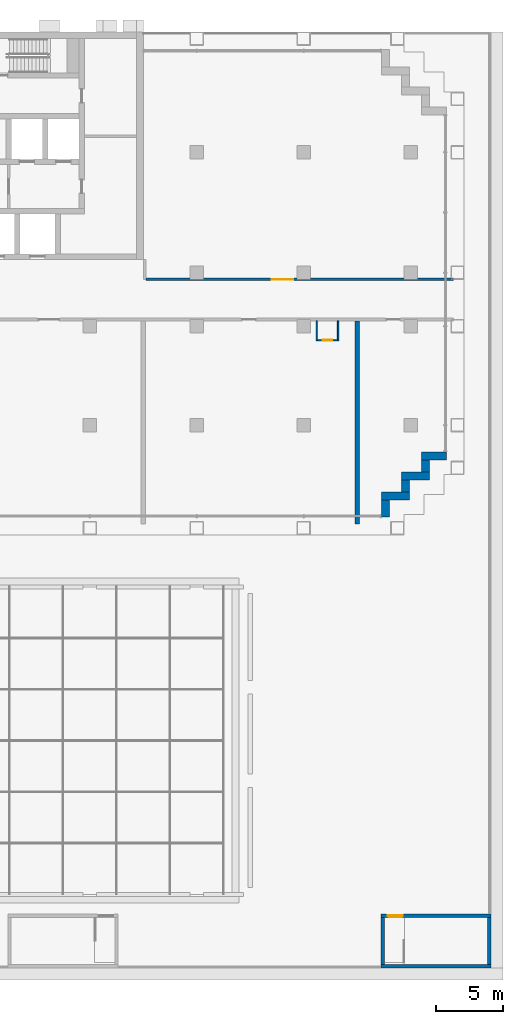
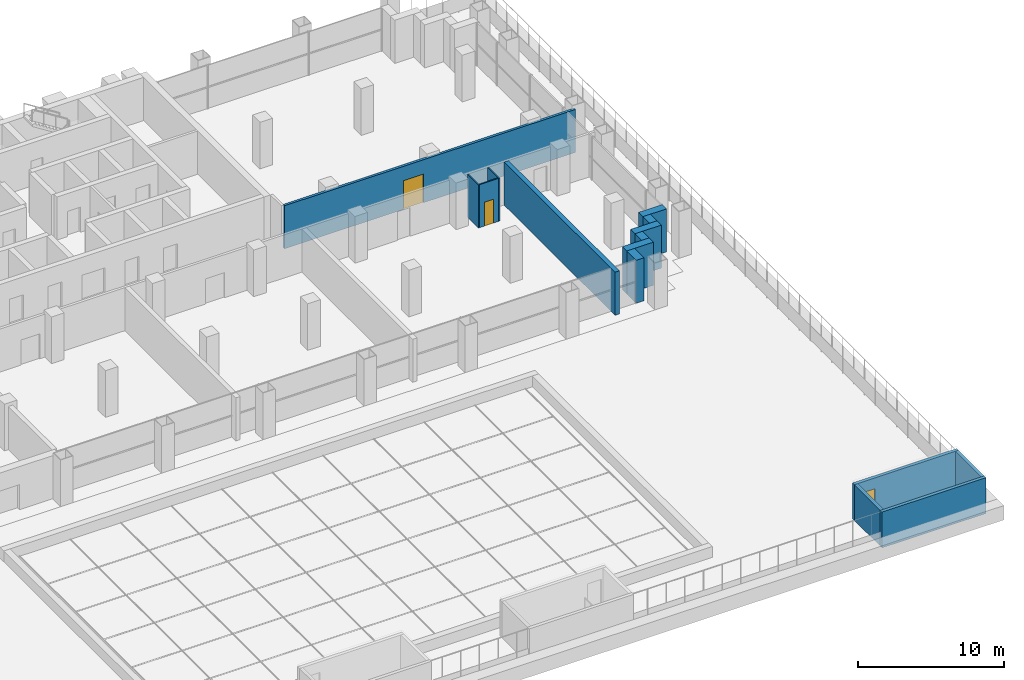
# One storey, part 12 of 16: 15 walls, 3 doors, 3 openings.
"""IFC4 building model written with IfcOpenShell, lengths in metres."""

from ifc_helpers import new_model, si_unit, direction, frame, frame_2d, origin, place, context, subcontext, project, spatial, rectangle, extrude, material, layer, layer_set, type_object, element, fill, save


model = new_model("IFC4")

# Units and contexts
model_context = context("Model", 3, precision=1e-05, world=origin(), true_north=direction((0.0, 1.0)))
body_context = subcontext(model_context, "Body", "Model", "MODEL_VIEW")
ifc_project = project(units=[si_unit("LENGTHUNIT", "METRE"), si_unit("AREAUNIT", "SQUARE_METRE"), si_unit("VOLUMEUNIT", "CUBIC_METRE"), si_unit("PLANEANGLEUNIT", "RADIAN"), si_unit("MASSUNIT", "GRAM", prefix="KILO")], contexts=[model_context])

# Site, building, storey
site_placement = place(None, origin())
site = spatial("IfcSite", under=ifc_project, at=site_placement, CompositionType="ELEMENT")
building_placement = place(site_placement, origin())
building = spatial("IfcBuilding", under=site, at=building_placement, Name="Vidyagriha Tower", CompositionType="ELEMENT")
storey_placement = place(building_placement, frame((0.0, 0.0, 26.0)))
storey = spatial("IfcBuildingStorey", under=building, at=storey_placement, Name="L06", CompositionType="ELEMENT", Elevation=26.0)

# Walls
ifc_material_1 = material(Name="Precast concrete C40/50 with brick facing", Category="concrete")
ifc_layer_1 = layer(ifc_material_1, 0.60009765625)
ifc_layer_set_1 = layer_set([ifc_layer_1], Name="Precast concrete C40/50 with brick facing")
wall_type_1 = type_object("IfcWallType", Name="Brick-faced precast wall 600", PredefinedType="STANDARD", material=ifc_layer_set_1)
wall_1_placement = place(storey_placement, frame((32.10009765625, -16.280029296875, 0.0), z_axis=(0.0, 0.0, 1.0), x_axis=(0.0, 1.0, 0.0)))
element("IfcWall", 1, at=wall_1_placement, inside=storey, type_object=wall_type_1, Name="Stepped corner wall L06 R24", PredefinedType="STANDARD", context=body_context, shape_type="SweptSolid", body=[
    extrude(rectangle(XDim=1.280029296875, YDim=0.60009765625, at=frame_2d((0.64013671875, 0.0))), origin(), (0.0, 0.0, 1.0), 3.60009765625),
])
wall_2_placement = place(storey_placement, frame((31.800048828125, -14.699951171875, 0.0)))
element("IfcWall", 2, at=wall_2_placement, inside=storey, type_object=wall_type_1, Name="Stepped corner wall L06 R25", PredefinedType="STANDARD", context=body_context, shape_type="SweptSolid", body=[
    extrude(rectangle(XDim=2.099853515625, YDim=0.60009765625, at=frame_2d((1.0498046875, 0.0))), origin(), (0.0, 0.0, 1.0), 3.60009765625),
])
wall_3_placement = place(storey_placement, frame((33.60009765625, -14.39990234375, 0.0), z_axis=(0.0, 0.0, 1.0), x_axis=(0.0, 1.0, 0.0)))
element("IfcWall", 3, at=wall_3_placement, inside=storey, type_object=wall_type_1, Name="Stepped corner wall L06 R26", PredefinedType="STANDARD", context=body_context, shape_type="SweptSolid", body=[
    extrude(rectangle(XDim=0.89990234375, YDim=0.60009765625, at=frame_2d((0.449951171875, 0.0))), origin(), (0.0, 0.0, 1.0), 3.60009765625),
])
wall_4_placement = place(storey_placement, frame((33.300048828125, -13.199951171875, 0.0)))
element("IfcWall", 4, at=wall_4_placement, inside=storey, type_object=wall_type_1, Name="Stepped corner wall L06 R27", PredefinedType="STANDARD", context=body_context, shape_type="SweptSolid", body=[
    extrude(rectangle(XDim=2.099853515625, YDim=0.60009765625, at=frame_2d((1.0498046875, 0.0))), origin(), (0.0, 0.0, 1.0), 3.60009765625),
])
wall_5_placement = place(storey_placement, frame((35.10009765625, -12.89990234375, 0.0), z_axis=(0.0, 0.0, 1.0), x_axis=(0.0, 1.0, 0.0)))
element("IfcWall", 5, at=wall_5_placement, inside=storey, type_object=wall_type_1, Name="Stepped corner wall L06 R28", PredefinedType="STANDARD", context=body_context, shape_type="SweptSolid", body=[
    extrude(rectangle(XDim=0.89990234375, YDim=0.60009765625, at=frame_2d((0.449951171875, 0.0))), origin(), (0.0, 0.0, 1.0), 3.60009765625),
])
wall_6_placement = place(storey_placement, frame((34.800048828125, -11.699951171875, 0.0)))
element("IfcWall", 6, at=wall_6_placement, inside=storey, type_object=wall_type_1, Name="Stepped corner wall L06 R29", PredefinedType="STANDARD", context=body_context, shape_type="SweptSolid", body=[
    extrude(rectangle(XDim=1.8798828125, YDim=0.60009765625, at=frame_2d((0.93994140625, 0.0))), origin(), (0.0, 0.0, 1.0), 3.60009765625),
])

# Wall, opening, door
ifc_material_2 = material(Name="Blockwork 15 MPa", Category="masonry")
ifc_layer_2 = layer(ifc_material_2, 0.199951171875)
ifc_layer_set_2 = layer_set([ifc_layer_2], Name="Blockwork 15 MPa")
wall_type_2 = type_object("IfcWallType", Name="Service room partition 200 mm", PredefinedType="PARTITIONING", material=ifc_layer_set_2)
wall_7_placement = place(storey_placement, frame((14.199951171875, 1.5, 0.0)))
wall_7 = element("IfcWall", 7, at=wall_7_placement, inside=storey, type_object=wall_type_2, Name="Plant corridor north wall east", PredefinedType="PARTITIONING", context=body_context, shape_type="SweptSolid", body=[
    extrude(rectangle(XDim=23.0, YDim=0.199951171875, at=frame_2d((11.5, 0.0))), origin(), (0.0, 0.0, 1.0), 3.60009765625),
])
opening_1_placement = place(wall_7_placement, frame((9.39990234375, 0.0, 0.0)))
opening_1 = element("IfcOpeningElement", 8, at=opening_1_placement, cuts=wall_7, Name="Opening D06-22", PredefinedType="OPENING", context=body_context, shape_type="SweptSolid", body=[
    extrude(rectangle(XDim=1.60009765625, YDim=2.39990234375, at=frame_2d((0.800048828125, 1.199951171875))), frame((0.0, 0.10986328125, 0.0), z_axis=(0.0, -1.0, 0.0), x_axis=(1.0, 0.0, 0.0)), (0.0, 0.0, 1.0), 0.219970703125),
])
ifc_material_3 = material(Name="Hollow metal door leaf")
door_type_1 = type_object("IfcDoorType", Name="Plant room double door 1600 x 2400 mm EI 90", OperationType="NOTDEFINED", PredefinedType="DOOR", material=ifc_material_3)
door_1_placement = place(opening_1_placement, frame((1.60009765625, 0.0, 0.0), z_axis=(0.0, 0.0, 1.0), x_axis=(-1.0, 0.0, 0.0)))
door_1 = element("IfcDoor", 9, at=door_1_placement, inside=storey, type_object=door_type_1, Name="Door Fire Pump Room 06.E1", OperationType="DOUBLE_DOOR_SINGLE_SWING", OverallHeight=2.39990234375, OverallWidth=1.60009765625, PredefinedType="DOOR", context=body_context, shape_type="SweptSolid", body=[
    extrude(rectangle(XDim=1.60009765625, YDim=2.39990234375, at=frame_2d((0.800048828125, 1.199951171875))), frame((0.0, 0.02490234375, 0.0), z_axis=(0.0, -1.0, 0.0), x_axis=(1.0, 0.0, 0.0)), (0.0, 0.0, 1.0), 0.050048828125),
])
fill(opening_1, door_1)

# Walls
ifc_material_4 = material(Name="Blockwork 15 MPa", Category="masonry")
ifc_layer_3 = layer(ifc_material_4, 0.35009765625)
ifc_layer_set_3 = layer_set([ifc_layer_3], Name="Blockwork 15 MPa")
wall_type_3 = type_object("IfcWallType", Name="Service room partition 350 mm", PredefinedType="PARTITIONING", material=ifc_layer_set_3)
wall_8_placement = place(storey_placement, frame((30.0, -16.800048828125, 0.0), z_axis=(0.0, 0.0, 1.0), x_axis=(0.0, 1.0, 0.0)))
element("IfcWall", 10, at=wall_8_placement, inside=storey, type_object=wall_type_3, Name="Plant room wall", PredefinedType="PARTITIONING", context=body_context, shape_type="SweptSolid", body=[
    extrude(rectangle(XDim=15.199951171875, YDim=0.35009765625, at=frame_2d((7.60009765625, 0.0))), origin(), (0.0, 0.0, 1.0), 3.60009765625),
])
ifc_material_5 = material(Name="Gypsum shaft liner")
ifc_layer_4 = layer(ifc_material_5, 0.10009765625)
ifc_layer_set_4 = layer_set([ifc_layer_4], Name="Gypsum shaft liner")
wall_type_4 = type_object("IfcWallType", Name="Shaft liner wall 100 mm", PredefinedType="PARTITIONING", material=ifc_layer_set_4)
for number, where, z_axis, x_axis, name in (
    (11, (26.97509765625, -1.60009765625, 0.0), (0.0, 0.0, 1.0), (0.0, -1.0, 0.0), "Riser liner wall"),
    (12, (28.574951171875, -1.60009765625, 0.0), (0.0, 0.0, 1.0), (0.0, -1.0, 0.0), "Riser liner wall"),
):
    element("IfcWall", number, at=place(storey_placement, frame(where, z_axis=z_axis, x_axis=x_axis)), inside=storey, type_object=wall_type_4, Name=name, PredefinedType="PARTITIONING", context=body_context, shape_type="SweptSolid", body=[
        extrude(rectangle(XDim=1.5, YDim=0.10009765625, at=frame_2d((0.75, 0.0))), origin(), (0.0, 0.0, 1.0), 3.60009765625),
    ])

# Wall, opening, door
wall_9_placement = place(storey_placement, frame((27.02490234375, -3.050048828125, 0.0)))
wall_9 = element("IfcWall", 13, at=wall_9_placement, inside=storey, type_object=wall_type_4, Name="Riser liner wall", PredefinedType="PARTITIONING", context=body_context, shape_type="SweptSolid", body=[
    extrude(rectangle(XDim=1.5, YDim=0.10009765625, at=frame_2d((0.75, 0.0))), origin(), (0.0, 0.0, 1.0), 3.60009765625),
])
opening_2_placement = place(wall_9_placement, frame((0.39990234375, 0.0, 0.0)))
opening_2 = element("IfcOpeningElement", 14, at=opening_2_placement, cuts=wall_9, Name="Opening D06-19", PredefinedType="OPENING", context=body_context, shape_type="SweptSolid", body=[
    extrude(rectangle(XDim=0.699951171875, YDim=2.0, at=frame_2d((0.35009765625, 1.0))), frame((0.0, 0.06005859375, 0.0), z_axis=(0.0, -1.0, 0.0), x_axis=(1.0, 0.0, 0.0)), (0.0, 0.0, 1.0), 0.1201171875),
])
ifc_material_6 = material(Name="Hollow metal door leaf")
door_type_2 = type_object("IfcDoorType", Name="Riser access door 700 x 2000 mm EI 60", OperationType="NOTDEFINED", PredefinedType="DOOR", material=ifc_material_6)
door_2_placement = place(opening_2_placement, frame((0.699951171875, 0.0, 0.0), z_axis=(0.0, 0.0, 1.0), x_axis=(-1.0, 0.0, 0.0)))
door_2 = element("IfcDoor", 15, at=door_2_placement, inside=storey, type_object=door_type_2, Name="Door riser duct 06.05", OperationType="SINGLE_SWING_LEFT", OverallHeight=2.0, OverallWidth=0.699951171875, PredefinedType="DOOR", context=body_context, shape_type="SweptSolid", body=[
    extrude(rectangle(XDim=0.699951171875, YDim=2.0, at=frame_2d((0.35009765625, 1.0))), frame((0.0, 0.02490234375, 0.0), z_axis=(0.0, -1.0, 0.0), x_axis=(1.0, 0.0, 0.0)), (0.0, 0.0, 1.0), 0.050048828125),
])
fill(opening_2, door_2)

# Wall
ifc_material_7 = material(Name="Concrete C32/40 with brick facing", Category="concrete")
ifc_layer_5 = layer(ifc_material_7, 0.25)
ifc_layer_set_5 = layer_set([ifc_layer_5], Name="Concrete C32/40 with brick facing")
wall_type_5 = type_object("IfcWallType", Name="Stair head-house wall 250, brick-faced", PredefinedType="SOLIDWALL", material=ifc_layer_set_5)
wall_10_placement = place(storey_placement, frame((31.77490234375, -49.875, 0.0)))
element("IfcWall", 16, at=wall_10_placement, inside=storey, type_object=wall_type_5, Name="L06 stair head-house PS2 wall S", PredefinedType="SOLIDWALL", context=body_context, shape_type="SweptSolid", body=[
    extrude(rectangle(XDim=8.22509765625, YDim=0.25, at=frame_2d((4.112548828125, 0.0))), origin(), (0.0, 0.0, 1.0), 3.0),
])

# Wall, opening, door
wall_11_placement = place(storey_placement, frame((31.77490234375, -46.10009765625, 0.0)))
wall_11 = element("IfcWall", 17, at=wall_11_placement, inside=storey, type_object=wall_type_5, Name="L06 stair head-house PS2 wall N", PredefinedType="SOLIDWALL", context=body_context, shape_type="SweptSolid", body=[
    extrude(rectangle(XDim=8.22509765625, YDim=0.25, at=frame_2d((4.112548828125, 0.0))), origin(), (0.0, 0.0, 1.0), 3.0),
])
opening_3_placement = place(wall_11_placement, frame((0.52001953125, 0.0, 0.0)))
opening_3 = element("IfcOpeningElement", 18, at=opening_3_placement, cuts=wall_11, Name="Opening D06-24", PredefinedType="OPENING", context=body_context, shape_type="SweptSolid", body=[
    extrude(rectangle(XDim=1.10009765625, YDim=2.10009765625, at=frame_2d((0.550048828125, 1.050048828125))), frame((0.0, 0.135009765625, 0.0), z_axis=(0.0, -1.0, 0.0), x_axis=(1.0, 0.0, 0.0)), (0.0, 0.0, 1.0), 0.27001953125),
])
ifc_material_8 = material(Name="Steel fire door set", Category="steel")
door_type_3 = type_object("IfcDoorType", Name="Podium Door 1100x2100 EI 90", OperationType="NOTDEFINED", PredefinedType="DOOR", material=ifc_material_8)
door_3_placement = place(opening_3_placement, origin())
door_3 = element("IfcDoor", 19, at=door_3_placement, inside=storey, type_object=door_type_3, Name="L06 stair head-house PS2 door D06-24", OperationType="SINGLE_SWING_LEFT", OverallHeight=2.10009765625, OverallWidth=1.10009765625, PredefinedType="DOOR", context=body_context, shape_type="SweptSolid", body=[
    extrude(rectangle(XDim=1.10009765625, YDim=2.10009765625, at=frame_2d((0.550048828125, 1.050048828125))), frame((0.0, 0.02490234375, 0.0), z_axis=(0.0, -1.0, 0.0), x_axis=(1.0, 0.0, 0.0)), (0.0, 0.0, 1.0), 0.050048828125),
])
fill(opening_3, door_3)

# Walls
for number, where, z_axis, x_axis, name in (
    (20, (31.89990234375, -49.75, 0.0), (0.0, 0.0, 1.0), (0.0, 1.0, 0.0), "L06 stair head-house PS2 wall W"),
    (21, (39.875, -49.75, 0.0), (0.0, 0.0, 1.0), (0.0, 1.0, 0.0), "L06 stair head-house PS2 wall E"),
):
    element("IfcWall", number, at=place(storey_placement, frame(where, z_axis=z_axis, x_axis=x_axis)), inside=storey, type_object=wall_type_5, Name=name, PredefinedType="SOLIDWALL", context=body_context, shape_type="SweptSolid", body=[
        extrude(rectangle(XDim=3.52490234375, YDim=0.25, at=frame_2d((1.762451171875, 0.0))), origin(), (0.0, 0.0, 1.0), 3.0),
    ])

save(model, "model.ifc")
